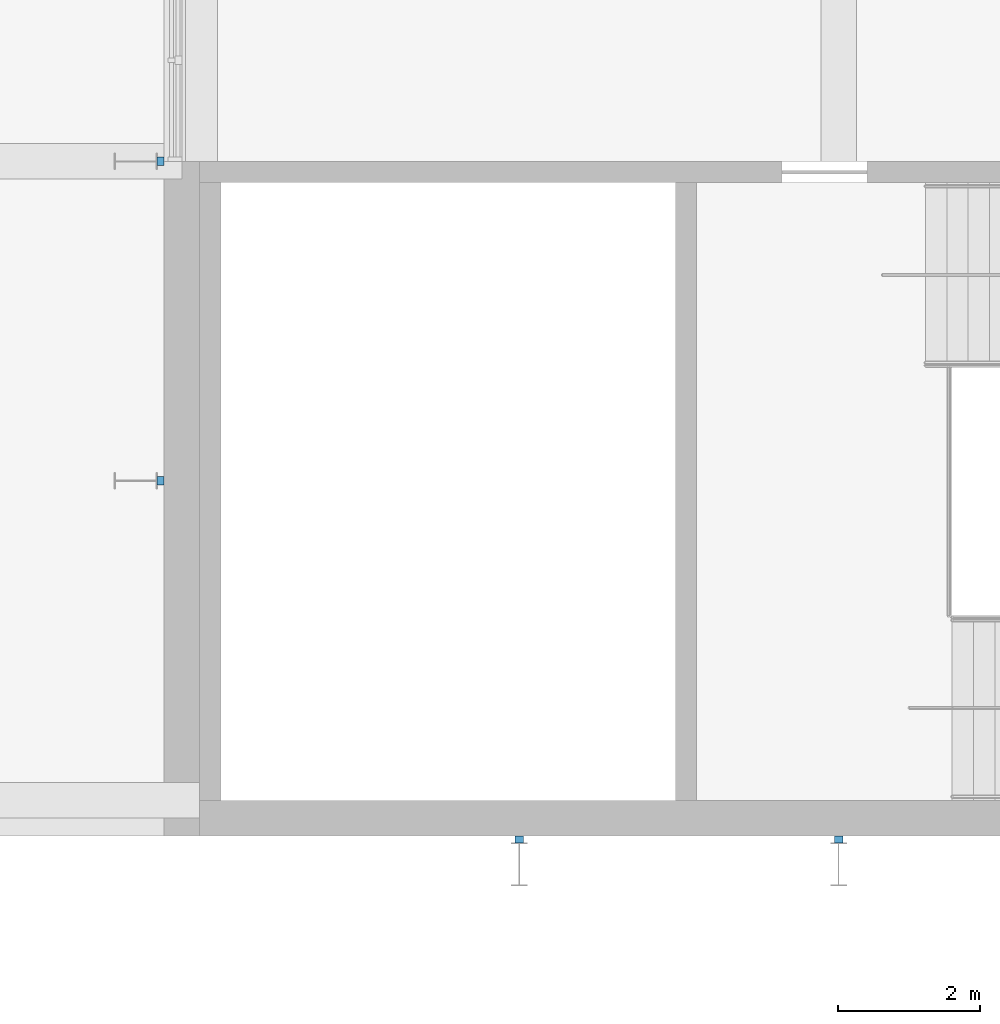
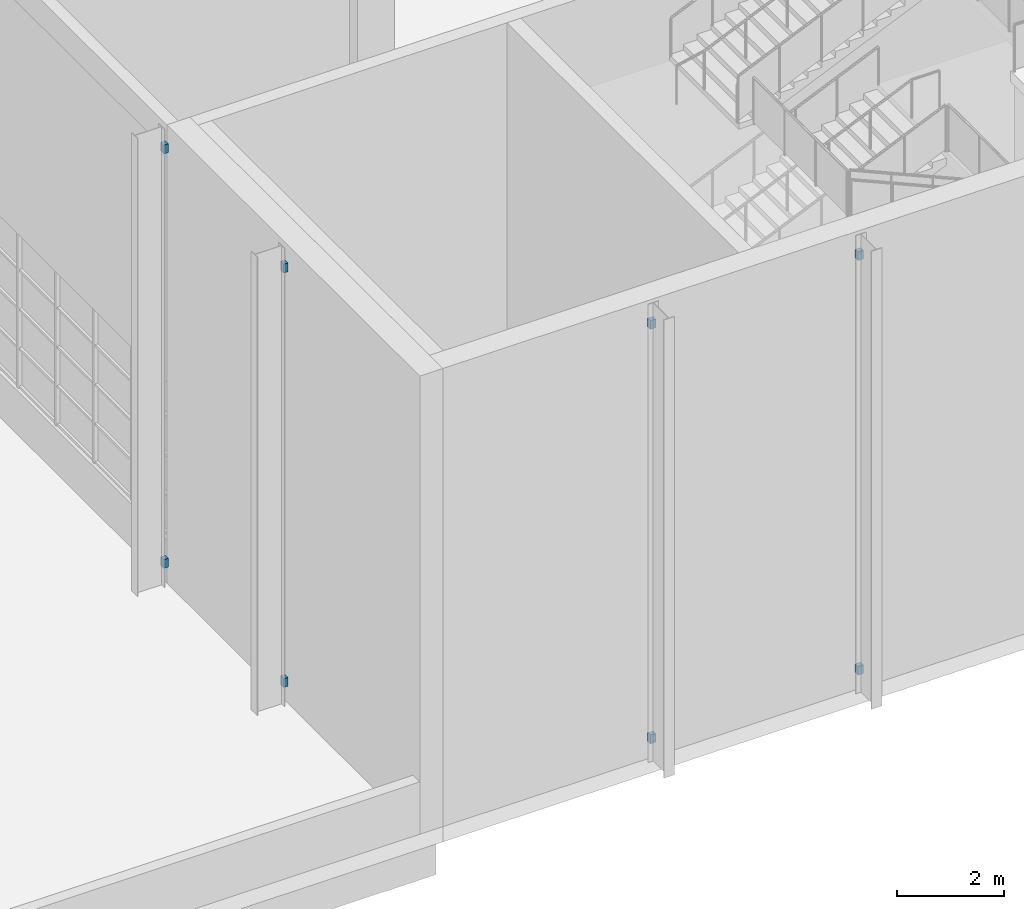
# One storey, part 106 of 182: 8 discrete accessories.
"""IFC4 building model written with IfcOpenShell, lengths in metres."""

from ifc_helpers import new_model, si_unit, direction, frame, origin, origin_2d, place, context, subcontext, project, spatial, rectangle, extrude, material, type_object, element, save


model = new_model("IFC4")

# Units and contexts
model_context = context("Model", 3, precision=1e-05, world=origin(), true_north=direction((0.0, 1.0)))
body_context = subcontext(model_context, "Body", "Model", "MODEL_VIEW")
ifc_project = project(units=[si_unit("LENGTHUNIT", "METRE"), si_unit("AREAUNIT", "SQUARE_METRE"), si_unit("VOLUMEUNIT", "CUBIC_METRE"), si_unit("PLANEANGLEUNIT", "RADIAN"), si_unit("MASSUNIT", "GRAM", prefix="KILO")], contexts=[model_context])

# Site, building, storey
site_placement = place(None, origin())
site = spatial("IfcSite", under=ifc_project, at=site_placement, CompositionType="ELEMENT")
building_placement = place(site_placement, origin())
building = spatial("IfcBuilding", under=site, at=building_placement, Name="Silverbay Arena", CompositionType="ELEMENT")
storey_placement = place(building_placement, frame((0.0, 0.0, 11.5)))
storey = spatial("IfcBuildingStorey", under=building, at=storey_placement, Name="L02", CompositionType="ELEMENT", Elevation=11.5)

# Discrete accessories
ifc_material = material(Name="Steel S355", Category="steel")
discrete_accessory_type = type_object("IfcDiscreteAccessoryType", Name="Steel bracket plate", PredefinedType="BRACKET", material=ifc_material)
for number, where, z_axis, x_axis, name in (
    (1, (58.5, 17.449951171875, 0.39990234375), (0.0, 0.0, 1.0), (1.0, 0.0, 0.0), "Fin bracket"),
    (2, (58.5, 17.449951171875, 9.89990234375), (0.0, 0.0, 1.0), (1.0, 0.0, 0.0), "Fin bracket"),
    (3, (63.0, 17.449951171875, 0.39990234375), (0.0, 0.0, 1.0), (1.0, 0.0, 0.0), "Fin bracket"),
    (4, (63.0, 17.449951171875, 9.89990234375), (0.0, 0.0, 1.0), (1.0, 0.0, 0.0), "Fin bracket"),
):
    element("IfcDiscreteAccessory", number, at=place(storey_placement, frame(where, z_axis=z_axis, x_axis=x_axis)), inside=storey, type_object=discrete_accessory_type, Name=name, PredefinedType="BRACKET", context=body_context, shape_type="SweptSolid", body=[
        extrude(rectangle(XDim=0.1201171875, YDim=0.10009765625, at=origin_2d()), origin(), (0.0, 0.0, 1.0), 0.199951171875),
    ])
for number, where, z_axis, x_axis, name in (
    (5, (53.449951171875, 22.5, 0.39990234375), (0.0, 0.0, 1.0), (1.0, 0.0, 0.0), "Fin bracket"),
    (6, (53.449951171875, 22.5, 9.89990234375), (0.0, 0.0, 1.0), (1.0, 0.0, 0.0), "Fin bracket"),
    (7, (53.449951171875, 27.0, 0.39990234375), (0.0, 0.0, 1.0), (1.0, 0.0, 0.0), "Fin bracket"),
    (8, (53.449951171875, 27.0, 9.89990234375), (0.0, 0.0, 1.0), (1.0, 0.0, 0.0), "Fin bracket"),
):
    element("IfcDiscreteAccessory", number, at=place(storey_placement, frame(where, z_axis=z_axis, x_axis=x_axis)), inside=storey, type_object=discrete_accessory_type, Name=name, PredefinedType="BRACKET", context=body_context, shape_type="SweptSolid", body=[
        extrude(rectangle(XDim=0.10009765625, YDim=0.1201171875, at=origin_2d()), origin(), (0.0, 0.0, 1.0), 0.199951171875),
    ])

save(model, "model.ifc")
